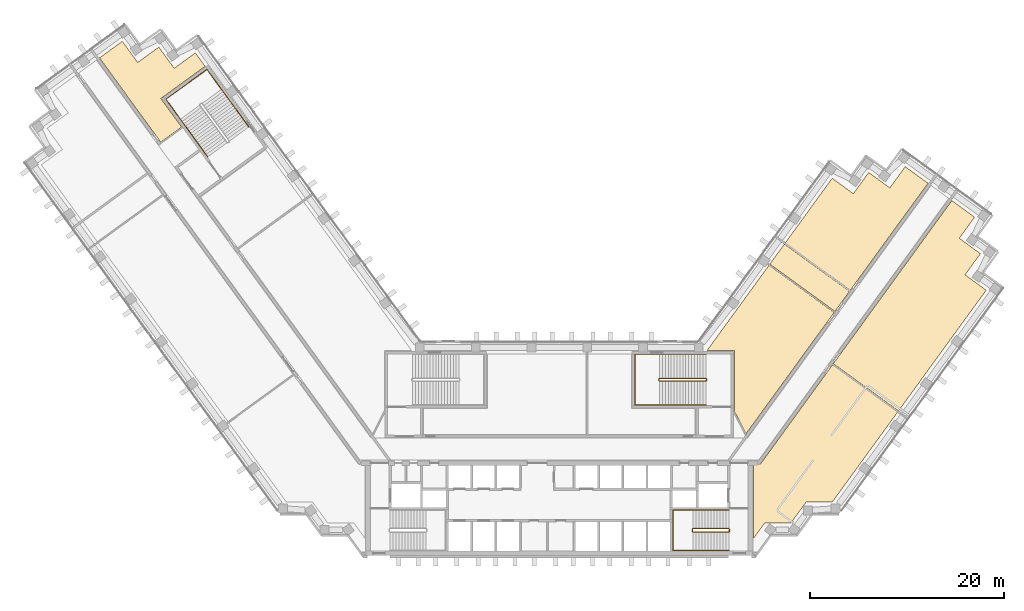
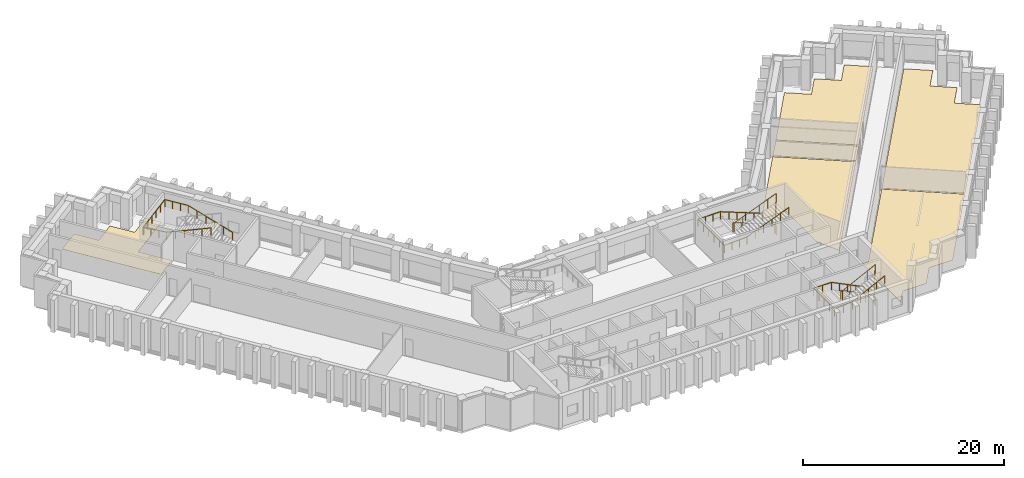
# One storey, part 12 of 12: 6 coverings, 5 railings.
"""IFC4 building model written with IfcOpenShell, lengths in metres."""

from ifc_helpers import new_model, si_unit, direction, frame, origin, origin_2d, place, context, subcontext, project, spatial, polyline, circle, outline, extrude, material, layer, layer_set, type_object, element, save


model = new_model("IFC4")

# Units and contexts
model_context = context("Model", 3, precision=1e-05, world=origin(), true_north=direction((0.0, 1.0)))
body_context = subcontext(model_context, "Body", "Model", "MODEL_VIEW")
ifc_project = project(units=[si_unit("LENGTHUNIT", "METRE"), si_unit("AREAUNIT", "SQUARE_METRE"), si_unit("VOLUMEUNIT", "CUBIC_METRE"), si_unit("PLANEANGLEUNIT", "RADIAN"), si_unit("MASSUNIT", "GRAM", prefix="KILO")], contexts=[model_context])

# Site, building, storey
site_placement = place(None, origin())
site = spatial("IfcSite", under=ifc_project, at=site_placement, CompositionType="ELEMENT")
building_placement = place(site_placement, origin())
building = spatial("IfcBuilding", under=site, at=building_placement, Name="Quipu Civic Tower", CompositionType="ELEMENT")
storey_placement = place(building_placement, frame((0.0, 0.0, 109.0)))
storey = spatial("IfcBuildingStorey", under=building, at=storey_placement, Name="L25", CompositionType="ELEMENT", Elevation=109.0)

# Coverings
ifc_material_1 = material(Name="Carpet tile on raised access floor")
ifc_layer_1 = layer(ifc_material_1, 0.02001953125)
ifc_layer_set_1 = layer_set([ifc_layer_1], Name="Carpet tile on raised access floor")
covering_type_1 = type_object("IfcCoveringType", Name="Carpet tile floor finish 20", PredefinedType="FLOORING", material=ifc_layer_set_1)
covering_1_placement = place(storey_placement, origin())
element("IfcCovering", 1, at=covering_1_placement, inside=storey, type_object=covering_type_1, Name="Carpet tile floor finish 20", PredefinedType="FLOORING", context=body_context, shape_type="SweptSolid", body=[
    extrude(outline(polyline([(15.238037109375, 10.169921875), (21.64794921875, 18.992919921875), (28.37109375, 14.10888671875), (19.27197265625, 1.583984375), (18.070068359375, 3.94189453125), (18.070068359375, 10.1689453125), (15.238037109375, 10.169921875)])), origin(), (0.0, 0.0, 1.0), 0.02001953125),
])
covering_2_placement = place(storey_placement, origin())
element("IfcCovering", 2, at=covering_2_placement, inside=storey, type_object=covering_type_1, Name="Carpet tile floor finish 20", PredefinedType="FLOORING", context=body_context, shape_type="SweptSolid", body=[
    extrude(outline(polyline([(20.070068359375, -9.195068359375), (20.070068359375, -1.52001953125), (20.77490234375, -1.51904296875), (28.208984375, 8.714111328125), (34.931884765625, 3.830078125), (28.181884765625, -5.4609375), (25.48193359375, -5.4619140625), (25.2080078125, -5.840087890625), (25.205078125, -5.841064453125), (25.200927734375, -5.843017578125), (25.197021484375, -5.844970703125), (25.193115234375, -5.847900390625), (25.18896484375, -5.85205078125), (25.18603515625, -5.85498046875), (25.18310546875, -5.85888671875), (25.179931640625, -5.863037109375), (25.177978515625, -5.867919921875), (25.177001953125, -5.8720703125), (25.175048828125, -5.876953125), (25.175048828125, -5.882080078125), (25.174072265625, -5.885986328125), (23.89501953125, -7.64599609375), (21.721923828125, -7.64599609375), (21.721923828125, -7.64599609375), (21.718017578125, -7.64306640625), (21.712890625, -7.64111328125), (21.708984375, -7.638916015625), (21.7041015625, -7.637939453125), (21.698974609375, -7.636962890625), (21.694091796875, -7.635986328125), (21.68896484375, -7.636962890625), (21.68408203125, -7.636962890625), (21.679931640625, -7.637939453125), (21.675048828125, -7.639892578125), (21.669921875, -7.64111328125), (21.666015625, -7.64404296875), (21.6630859375, -7.64599609375), (21.196044921875, -7.64599609375), (20.070068359375, -9.195068359375)])), origin(), (0.0, 0.0, 1.0), 0.02001953125),
])
covering_3_placement = place(storey_placement, origin())
element("IfcCovering", 3, at=covering_3_placement, inside=storey, type_object=covering_type_1, Name="Carpet tile floor finish 20", PredefinedType="FLOORING", context=body_context, shape_type="SweptSolid", body=[
    extrude(outline(polyline([(-47.471923828125, 40.39794921875), (-45.116943359375, 42.10791015625), (-43.531982421875, 39.925048828125), (-41.346923828125, 41.510986328125), (-39.760009765625, 39.326904296875), (-37.574951171875, 40.9130859375), (-36.570068359375, 39.530029296875), (-41.139892578125, 36.208984375), (-38.998046875, 33.260009765625), (-41.15087890625, 31.697021484375), (-47.471923828125, 40.39794921875)])), origin(), (0.0, 0.0, 1.0), 0.02001953125),
])
covering_4_placement = place(storey_placement, origin())
element("IfcCovering", 4, at=covering_4_placement, inside=storey, type_object=covering_type_1, Name="Carpet tile floor finish 20", PredefinedType="FLOORING", context=body_context, shape_type="SweptSolid", body=[
    extrude(outline(polyline([(28.2919921875, 8.826904296875), (40.52587890625, 25.666015625), (42.881103515625, 23.9560546875), (41.294921875, 21.77197265625), (43.47802734375, 20.18505859375), (41.89208984375, 17.9990234375), (44.074951171875, 16.4140625), (35.01611328125, 3.943115234375), (28.2919921875, 8.826904296875)])), origin(), (0.0, 0.0, 1.0), 0.02001953125),
])
ifc_material_2 = material(Name="Ceramic floor tile")
ifc_layer_2 = layer(ifc_material_2, 0.030029296875)
ifc_layer_set_2 = layer_set([ifc_layer_2], Name="Ceramic floor tile")
covering_type_2 = type_object("IfcCoveringType", Name="Ceramic tile floor finish 30", PredefinedType="FLOORING", material=ifc_layer_set_2)
covering_5_placement = place(storey_placement, origin())
element("IfcCovering", 5, at=covering_5_placement, inside=storey, type_object=covering_type_2, Name="Ceramic tile floor finish 30", PredefinedType="FLOORING", context=body_context, shape_type="SweptSolid", body=[
    extrude(outline(polyline([(21.73095703125, 19.10595703125), (23.235107421875, 21.177001953125), (29.9580078125, 16.29296875), (28.4541015625, 14.221923828125), (21.73095703125, 19.10595703125)])), origin(), (0.0, 0.0, 1.0), 0.030029296875),
])
ifc_material_3 = material(Name="Sealed cement screed")
ifc_layer_3 = layer(ifc_material_3, 0.050048828125)
ifc_layer_set_3 = layer_set([ifc_layer_3], Name="Sealed cement screed")
covering_type_3 = type_object("IfcCoveringType", Name="Sealed screed floor finish 50", PredefinedType="FLOORING", material=ifc_layer_set_3)
covering_6_placement = place(storey_placement, origin())
element("IfcCovering", 6, at=covering_6_placement, inside=storey, type_object=covering_type_3, Name="Sealed screed floor finish 50", PredefinedType="FLOORING", context=body_context, shape_type="SweptSolid", body=[
    extrude(outline(polyline([(23.318115234375, 21.2900390625), (28.169921875, 27.968994140625), (30.35400390625, 26.383056640625), (31.94091796875, 28.56591796875), (34.126953125, 26.97998046875), (35.712890625, 29.1640625), (38.06689453125, 27.4541015625), (30.041015625, 16.406005859375), (23.318115234375, 21.2900390625)])), origin(), (0.0, 0.0, 1.0), 0.050048828125),
])

# Railings
ifc_material_4 = material(Name="Stainless steel", Category="steel")
railing_type_1 = type_object("IfcRailingType", Name="Stair guard 1100", PredefinedType="GUARDRAIL", material=ifc_material_4)
railing_1_placement = place(storey_placement, frame((17.5, -8.199951171875, 0.15380859375)))
element("IfcRailing", 7, at=railing_1_placement, inside=storey, type_object=railing_type_1, Name="Stair 2 guard", PredefinedType="GUARDRAIL", context=body_context, shape_type="SweptSolid", body=[
    extrude(circle(Radius=0.02392578125, at=origin_2d()), frame((0.0, 0.0, 1.076171875), z_axis=(-0.895751851347, 0.0, 0.444554407028), x_axis=(0.0, -1.0, 0.0)), (0.0, 0.0, 1.0), 4.15283203125),
    extrude(circle(Radius=0.02392578125, at=origin_2d()), frame((-3.719970703125, 0.0, 2.92236328125), z_axis=(-0.707106781187, -0.707106781187, 0.0), x_axis=(0.707106781187, -0.707106781187, 0.0)), (0.0, 0.0, 1.0), 0.07080078125),
    extrude(circle(Radius=0.02392578125, at=origin_2d()), frame((-3.77001953125, -0.050048828125, 2.92236328125), z_axis=(0.0, -1.0, 0.0), x_axis=(1.0, 0.0, 0.0)), (0.0, 0.0, 1.0), 0.25),
    extrude(circle(Radius=0.02392578125, at=origin_2d()), frame((-3.77001953125, -0.300048828125, 2.92236328125), z_axis=(0.295599637079, -0.295599637079, 0.908428152975), x_axis=(0.707106781187, 0.707106781187, 0.0)), (0.0, 0.0, 1.0), 0.16943359375),
    extrude(circle(Radius=0.02392578125, at=origin_2d()), frame((-3.719970703125, -0.35009765625, 3.076171875), z_axis=(0.895751851347, 0.0, 0.444554407028), x_axis=(0.0, 1.0, 0.0)), (0.0, 0.0, 1.0), 4.15283203125),
    extrude(circle(Radius=0.02392578125, at=origin_2d()), frame((0.0, -0.35009765625, 4.92236328125), z_axis=(0.012476181752, 0.074796231092, -0.997120789425), x_axis=(-0.986372223864, 0.164529134168, 0.0)), (0.0, 0.0, 1.0), 4.011474609375),
    extrude(circle(Radius=0.02392578125, at=origin_2d()), frame((0.050048828125, -0.050048828125, 0.92236328125), z_axis=(0.0, -1.0, 0.0), x_axis=(1.0, 0.0, 0.0)), (0.0, 0.0, 1.0), 0.25),
    extrude(circle(Radius=0.02099609375, at=origin_2d()), origin(), (0.0, 0.0, 1.0), 1.052001953125),
    extrude(circle(Radius=0.02099609375, at=origin_2d()), frame((-0.929931640625, 0.0, 0.46142578125)), (0.0, 0.0, 1.0), 1.052001953125),
    extrude(circle(Radius=0.02099609375, at=origin_2d()), frame((-1.85986328125, 0.0, 0.923095703125)), (0.0, 0.0, 1.0), 1.052001953125),
    extrude(circle(Radius=0.02099609375, at=origin_2d()), frame((-2.7900390625, 0.0, 1.384765625)), (0.0, 0.0, 1.0), 1.052001953125),
    extrude(circle(Radius=0.02099609375, at=origin_2d()), frame((-3.719970703125, 0.0, 1.84619140625)), (0.0, 0.0, 1.0), 1.052001953125),
    extrude(circle(Radius=0.02099609375, at=origin_2d()), frame((-3.77001953125, -0.050048828125, 1.84619140625)), (0.0, 0.0, 1.0), 1.052001953125),
    extrude(circle(Radius=0.02099609375, at=origin_2d()), frame((-3.77001953125, -0.300048828125, 1.84619140625)), (0.0, 0.0, 1.0), 1.052001953125),
    extrude(circle(Radius=0.02099609375, at=origin_2d()), frame((-3.719970703125, -0.35009765625, 2.0)), (0.0, 0.0, 1.0), 1.052001953125),
    extrude(circle(Radius=0.02099609375, at=origin_2d()), frame((-2.7900390625, -0.35009765625, 2.46142578125)), (0.0, 0.0, 1.0), 1.052001953125),
    extrude(circle(Radius=0.02099609375, at=origin_2d()), frame((-1.85986328125, -0.35009765625, 2.923095703125)), (0.0, 0.0, 1.0), 1.052001953125),
    extrude(circle(Radius=0.02099609375, at=origin_2d()), frame((-0.929931640625, -0.35009765625, 3.384765625)), (0.0, 0.0, 1.0), 1.052001953125),
    extrude(circle(Radius=0.02099609375, at=origin_2d()), frame((0.0, -0.35009765625, 3.84619140625)), (0.0, 0.0, 1.0), 1.052001953125),
    extrude(circle(Radius=0.02099609375, at=origin_2d()), frame((0.012451171875, -0.275146484375, 2.84619140625)), (0.0, 0.0, 1.0), 1.052001953125),
    extrude(circle(Radius=0.02099609375, at=origin_2d()), frame((0.02490234375, -0.2001953125, 1.84619140625)), (0.0, 0.0, 1.0), 1.052001953125),
    extrude(circle(Radius=0.02099609375, at=origin_2d()), frame((0.03759765625, -0.125, 0.84619140625)), (0.0, 0.0, 1.0), 1.052001953125),
    extrude(circle(Radius=0.02099609375, at=origin_2d()), frame((0.050048828125, -0.050048828125, -0.15380859375)), (0.0, 0.0, 1.0), 1.052001953125),
    extrude(circle(Radius=0.02099609375, at=origin_2d()), frame((0.050048828125, -0.300048828125, -0.15380859375)), (0.0, 0.0, 1.0), 1.052001953125),
])
railing_2_placement = place(storey_placement, frame((15.14990234375, 7.300048828125, 0.11767578125)))
element("IfcRailing", 8, at=railing_2_placement, inside=storey, type_object=railing_type_1, Name="Stair 4 guard", PredefinedType="GUARDRAIL", context=body_context, shape_type="SweptSolid", body=[
    extrude(circle(Radius=0.02392578125, at=origin_2d()), frame((0.0, 0.0, 1.076171875), z_axis=(-0.930970042603, 0.0, 0.365095576219), x_axis=(0.0, -1.0, 0.0)), (0.0, 0.0, 1.0), 5.15576171875),
    extrude(circle(Radius=0.02392578125, at=origin_2d()), frame((-4.7998046875, 0.0, 2.95849609375), z_axis=(-0.707106781187, -0.707106781187, 0.0), x_axis=(0.707106781187, -0.707106781187, 0.0)), (0.0, 0.0, 1.0), 0.07080078125),
    extrude(circle(Radius=0.02392578125, at=origin_2d()), frame((-4.849853515625, -0.050048828125, 2.95849609375), z_axis=(0.0, -1.0, 0.0), x_axis=(1.0, 0.0, 0.0)), (0.0, 0.0, 1.0), 0.14990234375),
    extrude(circle(Radius=0.02392578125, at=origin_2d()), frame((-4.849853515625, -0.199951171875, 2.95849609375), z_axis=(0.364463019033, -0.364463019033, 0.856932561824), x_axis=(0.707106781187, 0.707106781187, 0.0)), (0.0, 0.0, 1.0), 0.13720703125),
    extrude(circle(Radius=0.02392578125, at=origin_2d()), frame((-4.7998046875, -0.25, 3.076171875), z_axis=(0.930970042603, 0.0, 0.365095576219), x_axis=(0.0, 1.0, 0.0)), (0.0, 0.0, 1.0), 5.15576171875),
    extrude(circle(Radius=0.02392578125, at=origin_2d()), frame((0.0, -0.25, 4.95849609375), z_axis=(0.012495627992, 0.049921557685, -0.998674970829), x_axis=(-0.970072785993, 0.242814311512, 0.0)), (0.0, 0.0, 1.0), 4.00537109375),
    extrude(circle(Radius=0.02392578125, at=origin_2d()), frame((0.050048828125, -0.050048828125, 0.95849609375), z_axis=(0.0, -1.0, 0.0), x_axis=(1.0, 0.0, 0.0)), (0.0, 0.0, 1.0), 0.14990234375),
    extrude(circle(Radius=0.02099609375, at=origin_2d()), origin(), (0.0, 0.0, 1.0), 1.052001953125),
    extrude(circle(Radius=0.02099609375, at=origin_2d()), frame((-0.9599609375, 0.0, 0.37646484375)), (0.0, 0.0, 1.0), 1.052001953125),
    extrude(circle(Radius=0.02099609375, at=origin_2d()), frame((-1.919921875, 0.0, 0.7529296875)), (0.0, 0.0, 1.0), 1.052001953125),
    extrude(circle(Radius=0.02099609375, at=origin_2d()), frame((-2.8798828125, 0.0, 1.12939453125)), (0.0, 0.0, 1.0), 1.052001953125),
    extrude(circle(Radius=0.02099609375, at=origin_2d()), frame((-3.83984375, 0.0, 1.505859375)), (0.0, 0.0, 1.0), 1.052001953125),
    extrude(circle(Radius=0.02099609375, at=origin_2d()), frame((-4.7998046875, 0.0, 1.88232421875)), (0.0, 0.0, 1.0), 1.052001953125),
    extrude(circle(Radius=0.02099609375, at=origin_2d()), frame((-4.849853515625, -0.050048828125, 1.88232421875)), (0.0, 0.0, 1.0), 1.052001953125),
    extrude(circle(Radius=0.02099609375, at=origin_2d()), frame((-4.849853515625, -0.199951171875, 1.88232421875)), (0.0, 0.0, 1.0), 1.052001953125),
    extrude(circle(Radius=0.02099609375, at=origin_2d()), frame((-4.7998046875, -0.25, 2.0)), (0.0, 0.0, 1.0), 1.052001953125),
    extrude(circle(Radius=0.02099609375, at=origin_2d()), frame((-3.83984375, -0.25, 2.37646484375)), (0.0, 0.0, 1.0), 1.052001953125),
    extrude(circle(Radius=0.02099609375, at=origin_2d()), frame((-2.8798828125, -0.25, 2.7529296875)), (0.0, 0.0, 1.0), 1.052001953125),
    extrude(circle(Radius=0.02099609375, at=origin_2d()), frame((-1.919921875, -0.25, 3.12939453125)), (0.0, 0.0, 1.0), 1.052001953125),
    extrude(circle(Radius=0.02099609375, at=origin_2d()), frame((-0.9599609375, -0.25, 3.505859375)), (0.0, 0.0, 1.0), 1.052001953125),
    extrude(circle(Radius=0.02099609375, at=origin_2d()), frame((0.0, -0.25, 3.88232421875)), (0.0, 0.0, 1.0), 1.052001953125),
    extrude(circle(Radius=0.02099609375, at=origin_2d()), frame((0.012451171875, -0.199951171875, 2.88232421875)), (0.0, 0.0, 1.0), 1.052001953125),
    extrude(circle(Radius=0.02099609375, at=origin_2d()), frame((0.02490234375, -0.14990234375, 1.88232421875)), (0.0, 0.0, 1.0), 1.052001953125),
    extrude(circle(Radius=0.02099609375, at=origin_2d()), frame((0.03759765625, -0.10009765625, 0.88232421875)), (0.0, 0.0, 1.0), 1.052001953125),
    extrude(circle(Radius=0.02099609375, at=origin_2d()), frame((0.050048828125, -0.050048828125, -0.11767578125)), (0.0, 0.0, 1.0), 1.052001953125),
    extrude(circle(Radius=0.02099609375, at=origin_2d()), frame((0.050048828125, -0.199951171875, -0.11767578125)), (0.0, 0.0, 1.0), 1.052001953125),
])
ifc_material_5 = material(Name="Stainless steel", Category="steel")
railing_type_2 = type_object("IfcRailingType", Name="Stair handrail", PredefinedType="HANDRAIL", material=ifc_material_5)
railing_3_placement = place(storey_placement, frame((17.5, -6.300048828125, 0.15380859375)))
element("IfcRailing", 9, at=railing_3_placement, inside=storey, type_object=railing_type_2, Name="Stair 2 handrail", PredefinedType="HANDRAIL", context=body_context, shape_type="SweptSolid", body=[
    extrude(circle(Radius=0.02392578125, at=origin_2d()), frame((0.0, 0.0, 0.8759765625), z_axis=(-0.895751851347, 0.0, 0.444554407028), x_axis=(0.0, -1.0, 0.0)), (0.0, 0.0, 1.0), 4.15283203125),
    extrude(circle(Radius=0.02392578125, at=origin_2d()), frame((-3.719970703125, 0.0, 2.72216796875), z_axis=(-1.0, 0.0, 0.0), x_axis=(0.0, -1.0, 0.0)), (0.0, 0.0, 1.0), 2.030029296875),
    extrude(circle(Radius=0.02392578125, at=origin_2d()), frame((-5.75, 0.0, 2.72216796875), z_axis=(0.0, -1.0, 0.0), x_axis=(1.0, 0.0, 0.0)), (0.0, 0.0, 1.0), 4.14990234375),
    extrude(circle(Radius=0.02392578125, at=origin_2d()), frame((-5.75, -4.14990234375, 2.72216796875), z_axis=(0.997142003663, 0.0, 0.075550145798), x_axis=(0.0, 1.0, 0.0)), (0.0, 0.0, 1.0), 2.035888671875),
    extrude(circle(Radius=0.02392578125, at=origin_2d()), frame((-3.719970703125, -4.14990234375, 2.8759765625), z_axis=(0.895751851347, 0.0, 0.444554407028), x_axis=(0.0, 1.0, 0.0)), (0.0, 0.0, 1.0), 4.15283203125),
    extrude(circle(Radius=0.02099609375, at=origin_2d()), origin(), (0.0, 0.0, 1.0), 0.851806640625),
    extrude(circle(Radius=0.02099609375, at=origin_2d()), frame((-0.929931640625, 0.0, 0.46142578125)), (0.0, 0.0, 1.0), 0.851806640625),
    extrude(circle(Radius=0.02099609375, at=origin_2d()), frame((-1.85986328125, 0.0, 0.923095703125)), (0.0, 0.0, 1.0), 0.851806640625),
    extrude(circle(Radius=0.02099609375, at=origin_2d()), frame((-2.7900390625, 0.0, 1.384765625)), (0.0, 0.0, 1.0), 0.851806640625),
    extrude(circle(Radius=0.02099609375, at=origin_2d()), frame((-3.719970703125, 0.0, 1.84619140625)), (0.0, 0.0, 1.0), 0.851806640625),
    extrude(circle(Radius=0.02099609375, at=origin_2d()), frame((-4.73486328125, 0.0, 1.84619140625)), (0.0, 0.0, 1.0), 0.851806640625),
    extrude(circle(Radius=0.02099609375, at=origin_2d()), frame((-5.75, 0.0, 1.84619140625)), (0.0, 0.0, 1.0), 0.851806640625),
    extrude(circle(Radius=0.02099609375, at=origin_2d()), frame((-5.75, -1.03759765625, 1.84619140625)), (0.0, 0.0, 1.0), 0.851806640625),
    extrude(circle(Radius=0.02099609375, at=origin_2d()), frame((-5.75, -2.074951171875, 1.84619140625)), (0.0, 0.0, 1.0), 0.851806640625),
    extrude(circle(Radius=0.02099609375, at=origin_2d()), frame((-5.75, -3.1123046875, 1.84619140625)), (0.0, 0.0, 1.0), 0.851806640625),
    extrude(circle(Radius=0.02099609375, at=origin_2d()), frame((-5.75, -4.14990234375, 1.84619140625)), (0.0, 0.0, 1.0), 0.851806640625),
    extrude(circle(Radius=0.02099609375, at=origin_2d()), frame((-4.73486328125, -4.14990234375, 1.923095703125)), (0.0, 0.0, 1.0), 0.851806640625),
    extrude(circle(Radius=0.02099609375, at=origin_2d()), frame((-3.719970703125, -4.14990234375, 2.0)), (0.0, 0.0, 1.0), 0.851806640625),
    extrude(circle(Radius=0.02099609375, at=origin_2d()), frame((-2.7900390625, -4.14990234375, 2.46142578125)), (0.0, 0.0, 1.0), 0.851806640625),
    extrude(circle(Radius=0.02099609375, at=origin_2d()), frame((-1.85986328125, -4.14990234375, 2.923095703125)), (0.0, 0.0, 1.0), 0.851806640625),
    extrude(circle(Radius=0.02099609375, at=origin_2d()), frame((-0.929931640625, -4.14990234375, 3.384765625)), (0.0, 0.0, 1.0), 0.851806640625),
    extrude(circle(Radius=0.02099609375, at=origin_2d()), frame((0.0, -4.14990234375, 3.84619140625)), (0.0, 0.0, 1.0), 0.851806640625),
])
railing_4_placement = place(storey_placement, frame((15.14990234375, 9.800048828125, 0.11767578125)))
element("IfcRailing", 10, at=railing_4_placement, inside=storey, type_object=railing_type_2, Name="Stair 4 handrail", PredefinedType="HANDRAIL", context=body_context, shape_type="SweptSolid", body=[
    extrude(circle(Radius=0.02392578125, at=origin_2d()), frame((0.0, 0.0, 0.8759765625), z_axis=(-0.930970042603, 0.0, 0.365095576219), x_axis=(0.0, -1.0, 0.0)), (0.0, 0.0, 1.0), 5.15576171875),
    extrude(circle(Radius=0.02392578125, at=origin_2d()), frame((-4.7998046875, 0.0, 2.75830078125), z_axis=(-1.0, 0.0, 0.0), x_axis=(0.0, -1.0, 0.0)), (0.0, 0.0, 1.0), 2.550048828125),
    extrude(circle(Radius=0.02392578125, at=origin_2d()), frame((-7.349853515625, 0.0, 2.75830078125), z_axis=(0.0, -1.0, 0.0), x_axis=(1.0, 0.0, 0.0)), (0.0, 0.0, 1.0), 5.25),
    extrude(circle(Radius=0.02392578125, at=origin_2d()), frame((-7.349853515625, -5.25, 2.75830078125), z_axis=(0.998936948642, 0.0, 0.04609742549), x_axis=(0.0, 1.0, 0.0)), (0.0, 0.0, 1.0), 2.552734375),
    extrude(circle(Radius=0.02392578125, at=origin_2d()), frame((-4.7998046875, -5.25, 2.8759765625), z_axis=(0.930970042603, 0.0, 0.365095576219), x_axis=(0.0, 1.0, 0.0)), (0.0, 0.0, 1.0), 5.15576171875),
    extrude(circle(Radius=0.02099609375, at=origin_2d()), origin(), (0.0, 0.0, 1.0), 0.851806640625),
    extrude(circle(Radius=0.02099609375, at=origin_2d()), frame((-0.9599609375, 0.0, 0.37646484375)), (0.0, 0.0, 1.0), 0.851806640625),
    extrude(circle(Radius=0.02099609375, at=origin_2d()), frame((-1.919921875, 0.0, 0.7529296875)), (0.0, 0.0, 1.0), 0.851806640625),
    extrude(circle(Radius=0.02099609375, at=origin_2d()), frame((-2.8798828125, 0.0, 1.12939453125)), (0.0, 0.0, 1.0), 0.851806640625),
    extrude(circle(Radius=0.02099609375, at=origin_2d()), frame((-3.83984375, 0.0, 1.505859375)), (0.0, 0.0, 1.0), 0.851806640625),
    extrude(circle(Radius=0.02099609375, at=origin_2d()), frame((-4.7998046875, 0.0, 1.88232421875)), (0.0, 0.0, 1.0), 0.851806640625),
    extrude(circle(Radius=0.02099609375, at=origin_2d()), frame((-5.64990234375, 0.0, 1.88232421875)), (0.0, 0.0, 1.0), 0.851806640625),
    extrude(circle(Radius=0.02099609375, at=origin_2d()), frame((-6.499755859375, 0.0, 1.88232421875)), (0.0, 0.0, 1.0), 0.851806640625),
    extrude(circle(Radius=0.02099609375, at=origin_2d()), frame((-7.349853515625, 0.0, 1.88232421875)), (0.0, 0.0, 1.0), 0.851806640625),
    extrude(circle(Radius=0.02099609375, at=origin_2d()), frame((-7.349853515625, -1.050048828125, 1.88232421875)), (0.0, 0.0, 1.0), 0.851806640625),
    extrude(circle(Radius=0.02099609375, at=origin_2d()), frame((-7.349853515625, -2.10009765625, 1.88232421875)), (0.0, 0.0, 1.0), 0.851806640625),
    extrude(circle(Radius=0.02099609375, at=origin_2d()), frame((-7.349853515625, -3.14990234375, 1.88232421875)), (0.0, 0.0, 1.0), 0.851806640625),
    extrude(circle(Radius=0.02099609375, at=origin_2d()), frame((-7.349853515625, -4.199951171875, 1.88232421875)), (0.0, 0.0, 1.0), 0.851806640625),
    extrude(circle(Radius=0.02099609375, at=origin_2d()), frame((-7.349853515625, -5.25, 1.88232421875)), (0.0, 0.0, 1.0), 0.851806640625),
    extrude(circle(Radius=0.02099609375, at=origin_2d()), frame((-6.499755859375, -5.25, 1.921630859375)), (0.0, 0.0, 1.0), 0.851806640625),
    extrude(circle(Radius=0.02099609375, at=origin_2d()), frame((-5.64990234375, -5.25, 1.960693359375)), (0.0, 0.0, 1.0), 0.851806640625),
    extrude(circle(Radius=0.02099609375, at=origin_2d()), frame((-4.7998046875, -5.25, 2.0)), (0.0, 0.0, 1.0), 0.851806640625),
    extrude(circle(Radius=0.02099609375, at=origin_2d()), frame((-3.83984375, -5.25, 2.37646484375)), (0.0, 0.0, 1.0), 0.851806640625),
    extrude(circle(Radius=0.02099609375, at=origin_2d()), frame((-2.8798828125, -5.25, 2.7529296875)), (0.0, 0.0, 1.0), 0.851806640625),
    extrude(circle(Radius=0.02099609375, at=origin_2d()), frame((-1.919921875, -5.25, 3.12939453125)), (0.0, 0.0, 1.0), 0.851806640625),
    extrude(circle(Radius=0.02099609375, at=origin_2d()), frame((-0.9599609375, -5.25, 3.505859375)), (0.0, 0.0, 1.0), 0.851806640625),
    extrude(circle(Radius=0.02099609375, at=origin_2d()), frame((0.0, -5.25, 3.88232421875)), (0.0, 0.0, 1.0), 0.851806640625),
])
railing_5_placement = place(storey_placement, frame((-32.056396484375, 33.266845703125, 0.11767578125)))
element("IfcRailing", 11, at=railing_5_placement, inside=storey, type_object=railing_type_2, Name="Stair 6 handrail", PredefinedType="HANDRAIL", context=body_context, shape_type="SweptSolid", body=[
    extrude(circle(Radius=0.02392578125, at=origin_2d()), frame((0.0, 0.0, 0.8759765625), z_axis=(-0.54720100349, 0.753182689643, 0.365084781664), x_axis=(-0.809026317077, -0.587772420479, 0.0)), (0.0, 0.0, 1.0), 5.15576171875),
    extrude(circle(Radius=0.02392578125, at=origin_2d()), frame((-2.8212890625, 3.88330078125, 2.75830078125), z_axis=(-0.587767432704, 0.809029940764, 0.0), x_axis=(-0.809029940764, -0.587767432704, 0.0)), (0.0, 0.0, 1.0), 2.550048828125),
    extrude(circle(Radius=0.02392578125, at=origin_2d()), frame((-4.320068359375, 5.9462890625, 2.75830078125), z_axis=(-0.809009483706, -0.587795589702, 0.0), x_axis=(0.587795589702, -0.809009483706, 0.0)), (0.0, 0.0, 1.0), 5.25),
    extrude(circle(Radius=0.02392578125, at=origin_2d()), frame((-8.5673828125, 2.8603515625, 2.75830078125), z_axis=(0.587142558822, -0.808169835812, 0.046099155132), x_axis=(0.809029940764, 0.587767432704, 0.0)), (0.0, 0.0, 1.0), 2.552734375),
    extrude(circle(Radius=0.02392578125, at=origin_2d()), frame((-7.068603515625, 0.79736328125, 2.8759765625), z_axis=(0.54720100349, -0.753182689643, 0.365084781664), x_axis=(0.809026317077, 0.587772420479, 0.0)), (0.0, 0.0, 1.0), 5.15576171875),
    extrude(circle(Radius=0.02099609375, at=origin_2d()), origin(), (0.0, 0.0, 1.0), 0.851806640625),
    extrude(circle(Radius=0.02099609375, at=origin_2d()), frame((-0.564208984375, 0.776611328125, 0.37646484375)), (0.0, 0.0, 1.0), 0.851806640625),
    extrude(circle(Radius=0.02099609375, at=origin_2d()), frame((-1.12841796875, 1.55322265625, 0.7529296875)), (0.0, 0.0, 1.0), 0.851806640625),
    extrude(circle(Radius=0.02099609375, at=origin_2d()), frame((-1.69287109375, 2.330078125, 1.12939453125)), (0.0, 0.0, 1.0), 0.851806640625),
    extrude(circle(Radius=0.02099609375, at=origin_2d()), frame((-2.257080078125, 3.106689453125, 1.505859375)), (0.0, 0.0, 1.0), 0.851806640625),
    extrude(circle(Radius=0.02099609375, at=origin_2d()), frame((-2.8212890625, 3.88330078125, 1.88232421875)), (0.0, 0.0, 1.0), 0.851806640625),
    extrude(circle(Radius=0.02099609375, at=origin_2d()), frame((-3.32080078125, 4.571044921875, 1.88232421875)), (0.0, 0.0, 1.0), 0.851806640625),
    extrude(circle(Radius=0.02099609375, at=origin_2d()), frame((-3.820556640625, 5.258544921875, 1.88232421875)), (0.0, 0.0, 1.0), 0.851806640625),
    extrude(circle(Radius=0.02099609375, at=origin_2d()), frame((-4.320068359375, 5.9462890625, 1.88232421875)), (0.0, 0.0, 1.0), 0.851806640625),
    extrude(circle(Radius=0.02099609375, at=origin_2d()), frame((-5.16943359375, 5.3291015625, 1.88232421875)), (0.0, 0.0, 1.0), 0.851806640625),
    extrude(circle(Radius=0.02099609375, at=origin_2d()), frame((-6.01904296875, 4.7119140625, 1.88232421875)), (0.0, 0.0, 1.0), 0.851806640625),
    extrude(circle(Radius=0.02099609375, at=origin_2d()), frame((-6.868408203125, 4.0947265625, 1.88232421875)), (0.0, 0.0, 1.0), 0.851806640625),
    extrude(circle(Radius=0.02099609375, at=origin_2d()), frame((-7.718017578125, 3.4775390625, 1.88232421875)), (0.0, 0.0, 1.0), 0.851806640625),
    extrude(circle(Radius=0.02099609375, at=origin_2d()), frame((-8.5673828125, 2.8603515625, 1.88232421875)), (0.0, 0.0, 1.0), 0.851806640625),
    extrude(circle(Radius=0.02099609375, at=origin_2d()), frame((-8.06787109375, 2.172607421875, 1.921630859375)), (0.0, 0.0, 1.0), 0.851806640625),
    extrude(circle(Radius=0.02099609375, at=origin_2d()), frame((-7.568115234375, 1.485107421875, 1.960693359375)), (0.0, 0.0, 1.0), 0.851806640625),
    extrude(circle(Radius=0.02099609375, at=origin_2d()), frame((-7.068603515625, 0.79736328125, 2.0)), (0.0, 0.0, 1.0), 0.851806640625),
    extrude(circle(Radius=0.02099609375, at=origin_2d()), frame((-6.50439453125, 0.020751953125, 2.37646484375)), (0.0, 0.0, 1.0), 0.851806640625),
    extrude(circle(Radius=0.02099609375, at=origin_2d()), frame((-5.940185546875, -0.755859375, 2.7529296875)), (0.0, 0.0, 1.0), 0.851806640625),
    extrude(circle(Radius=0.02099609375, at=origin_2d()), frame((-5.375732421875, -1.53271484375, 3.12939453125)), (0.0, 0.0, 1.0), 0.851806640625),
    extrude(circle(Radius=0.02099609375, at=origin_2d()), frame((-4.8115234375, -2.309326171875, 3.505859375)), (0.0, 0.0, 1.0), 0.851806640625),
    extrude(circle(Radius=0.02099609375, at=origin_2d()), frame((-4.247314453125, -3.0859375, 3.88232421875)), (0.0, 0.0, 1.0), 0.851806640625),
])

save(model, "model.ifc")
